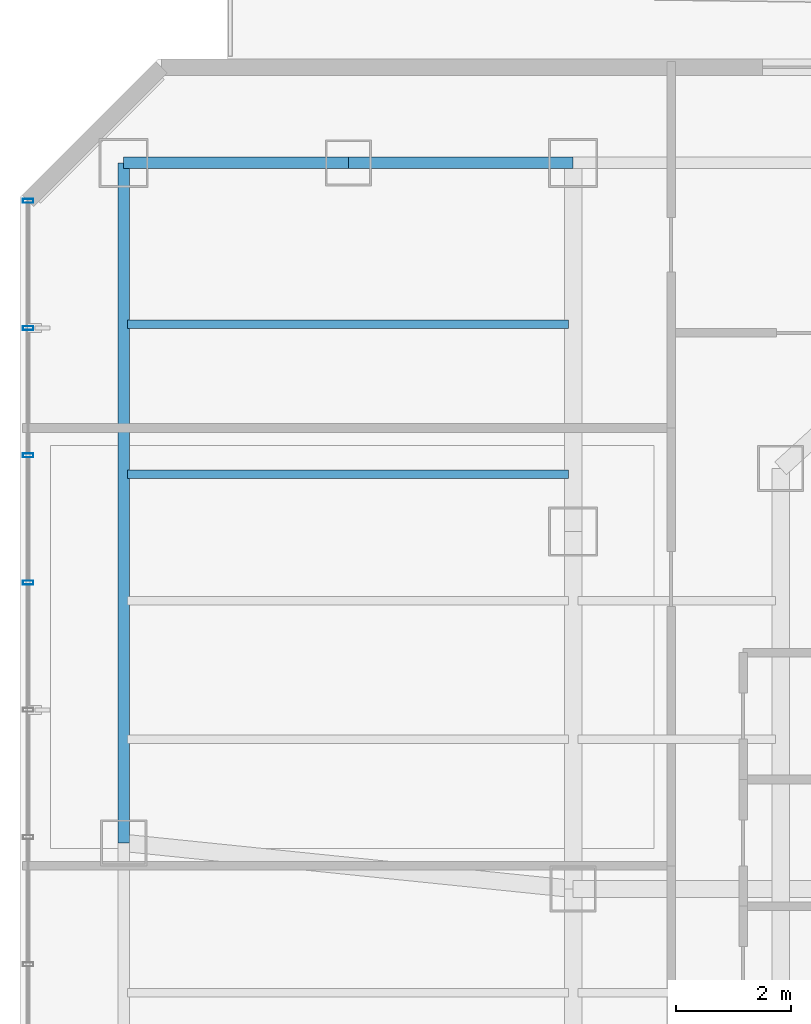
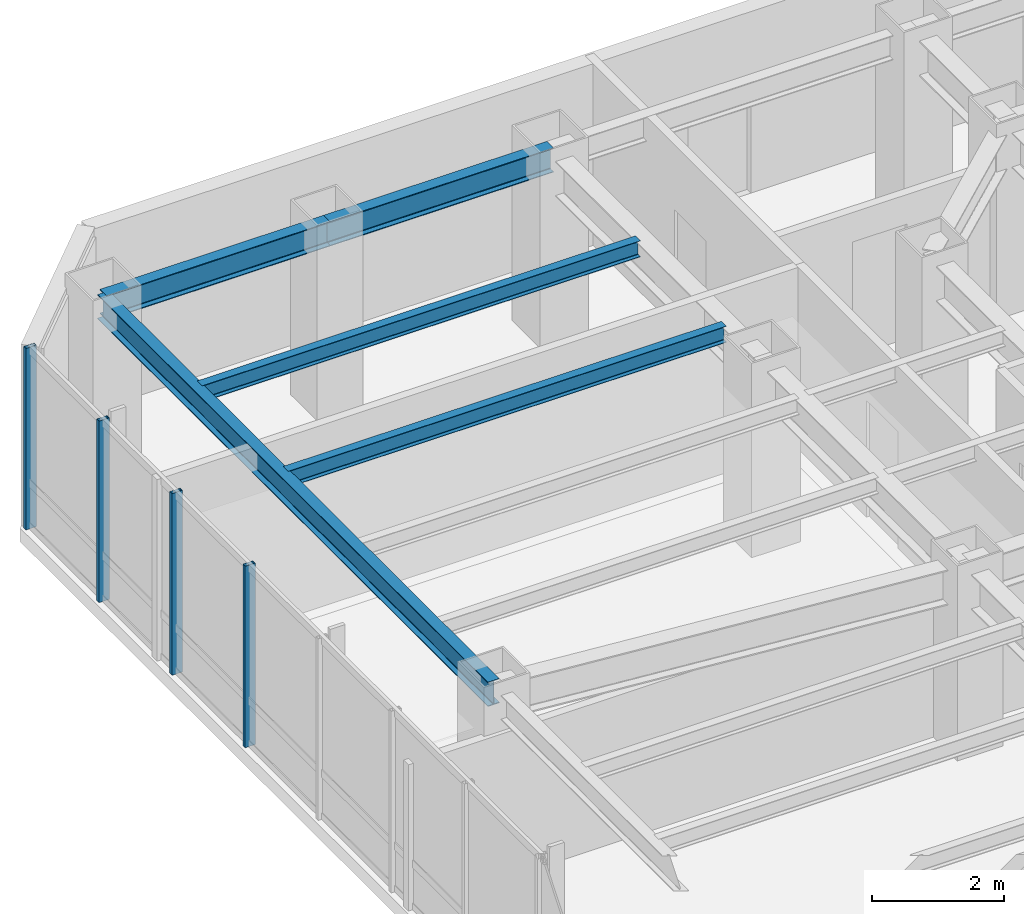
# One storey, part 17 of 28: 5 beams, 4 members, 1 element without a shape of its own.
"""IFC4 building model written with IfcOpenShell, lengths in metres."""

from ifc_helpers import new_model, si_unit, direction, frame, origin, origin_2d, place, context, subcontext, project, spatial, hollow_rectangle, i_section, extrude, material, layer, layer_set, material_profile, profile_set, type_object, element, aggregate, save


model = new_model("IFC4")

# Units and contexts
model_context = context("Model", 3, precision=1e-05, world=origin(), true_north=direction((0.0, 1.0)))
body_context = subcontext(model_context, "Body", "Model", "MODEL_VIEW")
ifc_project = project(units=[si_unit("LENGTHUNIT", "METRE"), si_unit("AREAUNIT", "SQUARE_METRE"), si_unit("VOLUMEUNIT", "CUBIC_METRE"), si_unit("PLANEANGLEUNIT", "RADIAN"), si_unit("MASSUNIT", "GRAM", prefix="KILO")], contexts=[model_context])

# Site, building, storey
site_placement = place(None, origin())
site = spatial("IfcSite", under=ifc_project, at=site_placement, CompositionType="ELEMENT")
building_placement = place(site_placement, origin())
building = spatial("IfcBuilding", under=site, at=building_placement, Name="Hatsunagi Terrace Concourse", CompositionType="ELEMENT")
storey_placement = place(building_placement, frame((0.0, 0.0, 160.050048828125)))
storey = spatial("IfcBuildingStorey", under=building, at=storey_placement, Name="L42", CompositionType="ELEMENT", Elevation=160.050048828125)

# Curtain wall, members
ifc_material_1 = material(Name="Anodised Aluminium Alloy 6063-T5", Category="aluminium")
ifc_layer = layer(ifc_material_1, 0.199951171875)
ifc_layer_set = layer_set([ifc_layer], Name="OfficeZone1_CW03")
curtain_wall_type = type_object("IfcCurtainWallType", Name="OfficeZone1_CW03", PredefinedType="NOTDEFINED", material=ifc_layer_set)
curtain_wall_placement = place(storey_placement, origin())
curtain_wall = element("IfcCurtainWall", 1, at=curtain_wall_placement, inside=storey, type_object=curtain_wall_type, Name="Unitised Curtain Wall CW-03 CW-L42-09", PredefinedType="NOTDEFINED")
ifc_material_2 = material(Name="Anodised Aluminium Alloy 6063-T5", Category="aluminium")
ifc_material_profile_1 = material_profile(ifc_material_2, hollow_rectangle(XDim=0.070068359375, YDim=0.179931640625, WallThickness=0.00390625, at=origin_2d()), Name="ALU-MUL-180x70x4")
ifc_profile_set_1 = profile_set([ifc_material_profile_1], Name="Anodised Aluminium Alloy 6063-T5")
member_type = type_object("IfcMemberType", Name="CurtainWallMullion_180x70", PredefinedType="MULLION", material=ifc_profile_set_1)
member_1_placement = place(storey_placement, frame((9.739990234375, 41.31689453125, 0.0), z_axis=(0.0, 0.0, 1.0), x_axis=(0.0, 1.0, 0.0)))
member_1 = element("IfcMember", 2, at=member_1_placement, type_object=member_type, Name="Curtain Wall Mullion MUL-02", PredefinedType="MULLION", context=body_context, shape_type="SweptSolid", body=[
    extrude(hollow_rectangle(XDim=0.070068359375, YDim=0.179931640625, WallThickness=0.00390625, at=origin_2d()), origin(), (0.0, 0.0, 1.0), 3.349853515625),
])
member_2_placement = place(storey_placement, frame((9.739990234375, 43.52490234375, 0.0), z_axis=(0.0, 0.0, 1.0), x_axis=(0.0, 1.0, 0.0)))
member_2 = element("IfcMember", 3, at=member_2_placement, type_object=member_type, Name="Curtain Wall Mullion MUL-02", PredefinedType="MULLION", context=body_context, shape_type="SweptSolid", body=[
    extrude(hollow_rectangle(XDim=0.070068359375, YDim=0.179931640625, WallThickness=0.00390625, at=origin_2d()), origin(), (0.0, 0.0, 1.0), 3.349853515625),
])
member_3_placement = place(storey_placement, frame((9.739990234375, 45.73388671875, 0.0), z_axis=(0.0, 0.0, 1.0), x_axis=(0.0, 1.0, 0.0)))
member_3 = element("IfcMember", 4, at=member_3_placement, type_object=member_type, Name="Curtain Wall Mullion MUL-02", PredefinedType="MULLION", context=body_context, shape_type="SweptSolid", body=[
    extrude(hollow_rectangle(XDim=0.070068359375, YDim=0.179931640625, WallThickness=0.00390625, at=origin_2d()), origin(), (0.0, 0.0, 1.0), 3.349853515625),
])
member_4_placement = place(storey_placement, frame((9.739990234375, 47.94189453125, 0.0), z_axis=(0.0, 0.0, 1.0), x_axis=(0.0, 1.0, 0.0)))
member_4 = element("IfcMember", 5, at=member_4_placement, type_object=member_type, Name="Curtain Wall Mullion MUL-02", PredefinedType="MULLION", context=body_context, shape_type="SweptSolid", body=[
    extrude(hollow_rectangle(XDim=0.070068359375, YDim=0.179931640625, WallThickness=0.00390625, at=origin_2d()), origin(), (0.0, 0.0, 1.0), 3.349853515625),
])
aggregate(curtain_wall, [member_1, member_2, member_3, member_4])

# Beams
ifc_material_3 = material(Name="Steel SN490B", Category="steel")
ifc_material_profile_2 = material_profile(ifc_material_3, i_section(OverallWidth=0.14990234375, OverallDepth=0.300048828125, WebThickness=0.006591796875, FlangeThickness=0.009033203125, FilletRadius=0.010986328125, at=origin_2d()), Name="H-300x150x6.5x9")
ifc_profile_set_2 = profile_set([ifc_material_profile_2], Name="Steel SN490B")
beam_type_1 = type_object("IfcBeamType", Name="OfficeJoist_H_300x150", PredefinedType="JOIST", material=ifc_profile_set_2)
for number, where, z_axis, x_axis, name in (
    (6, (11.465087890625, 43.199951171875, 3.199951171875), (1.0, 0.0, 0.0), (0.0, 1.0, 0.0), "Beam J-03 J-L42-W-11-432"),
    (7, (11.465087890625, 45.800048828125, 3.199951171875), (1.0, 0.0, 0.0), (0.0, 1.0, 0.0), "Beam J-03 J-L42-W-11-458"),
):
    element("IfcBeam", number, at=place(storey_placement, frame(where, z_axis=z_axis, x_axis=x_axis)), inside=storey, type_object=beam_type_1, Name=name, PredefinedType="JOIST", context=body_context, shape_type="SweptSolid", body=[
        extrude(i_section(OverallWidth=0.14990234375, OverallDepth=0.300048828125, WebThickness=0.006591796875, FlangeThickness=0.009033203125, FilletRadius=0.010986328125, at=origin_2d()), origin(), (0.0, 0.0, 1.0), 7.64990234375),
    ])
ifc_material_4 = material(Name="Steel SN490B", Category="steel")
ifc_material_profile_3 = material_profile(ifc_material_4, i_section(OverallWidth=0.199951171875, OverallDepth=0.449951171875, WebThickness=0.009033203125, FlangeThickness=0.013916015625, FilletRadius=0.01611328125, at=origin_2d()), Name="H-450x200x9x14")
ifc_profile_set_3 = profile_set([ifc_material_profile_3], Name="Steel SN490B")
beam_type_2 = type_object("IfcBeamType", Name="PerimeterSpandrel_H_450x200", PredefinedType="SPANDREL", material=ifc_profile_set_3)
beam_1_placement = place(storey_placement, frame((11.39990234375, 48.60009765625, 3.125), z_axis=(1.0, 0.0, 0.0), x_axis=(0.0, 1.0, 0.0)))
element("IfcBeam", 8, at=beam_1_placement, inside=storey, type_object=beam_type_2, Name="Beam SP-02 BM-L42-WN-11", PredefinedType="SPANDREL", context=body_context, shape_type="SweptSolid", body=[
    extrude(i_section(OverallWidth=0.199951171875, OverallDepth=0.449951171875, WebThickness=0.009033203125, FlangeThickness=0.013916015625, FilletRadius=0.01611328125, at=origin_2d()), origin(), (0.0, 0.0, 1.0), 3.900146484375),
])
beam_2_placement = place(storey_placement, frame((15.300048828125, 48.60009765625, 3.125), z_axis=(1.0, 0.0, 0.0), x_axis=(0.0, 1.0, 0.0)))
element("IfcBeam", 9, at=beam_2_placement, inside=storey, type_object=beam_type_2, Name="Beam SP-02 BM-L42-WN-15", PredefinedType="SPANDREL", context=body_context, shape_type="SweptSolid", body=[
    extrude(i_section(OverallWidth=0.199951171875, OverallDepth=0.449951171875, WebThickness=0.009033203125, FlangeThickness=0.013916015625, FilletRadius=0.01611328125, at=origin_2d()), origin(), (0.0, 0.0, 1.0), 3.89990234375),
])
beam_3_placement = place(storey_placement, frame((11.39990234375, 36.800048828125, 3.125), z_axis=(0.0, 1.0, 0.0), x_axis=(-1.0, 0.0, 0.0)))
element("IfcBeam", 10, at=beam_3_placement, inside=storey, type_object=beam_type_2, Name="Beam SP-02 BM-L42-NS-11-36", PredefinedType="SPANDREL", context=body_context, shape_type="SweptSolid", body=[
    extrude(i_section(OverallWidth=0.199951171875, OverallDepth=0.449951171875, WebThickness=0.009033203125, FlangeThickness=0.013916015625, FilletRadius=0.01611328125, at=origin_2d()), origin(), (0.0, 0.0, 1.0), 11.800048828125),
])

save(model, "model.ifc")
